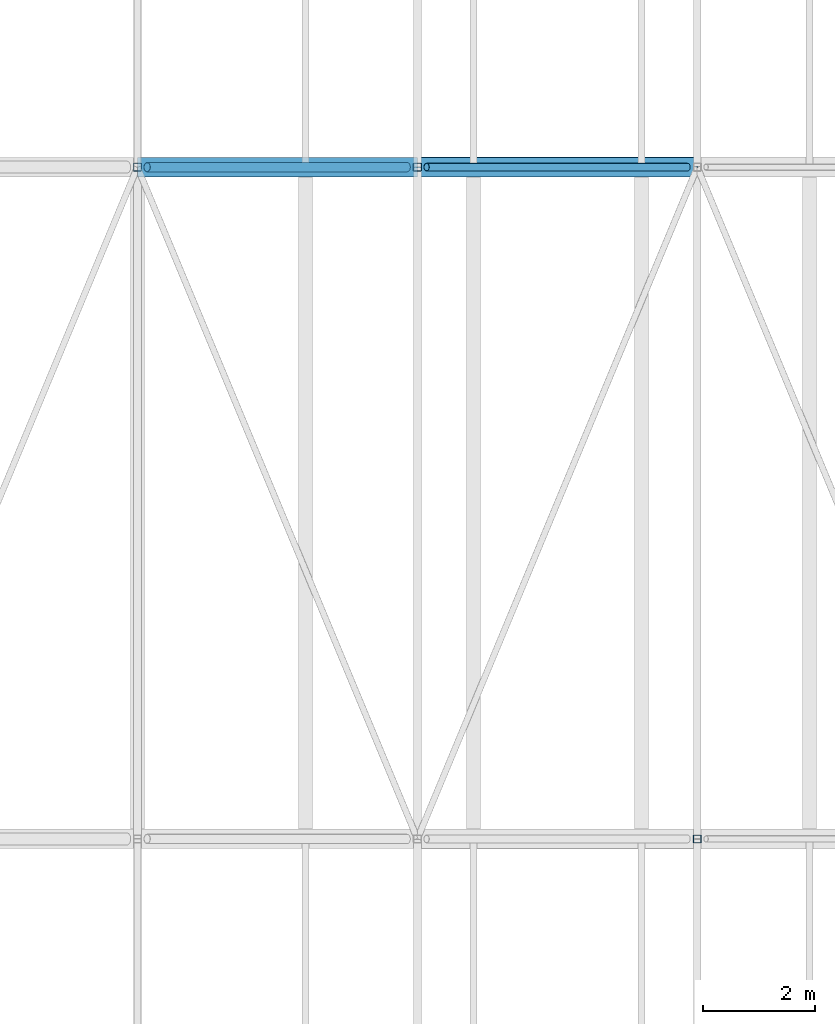
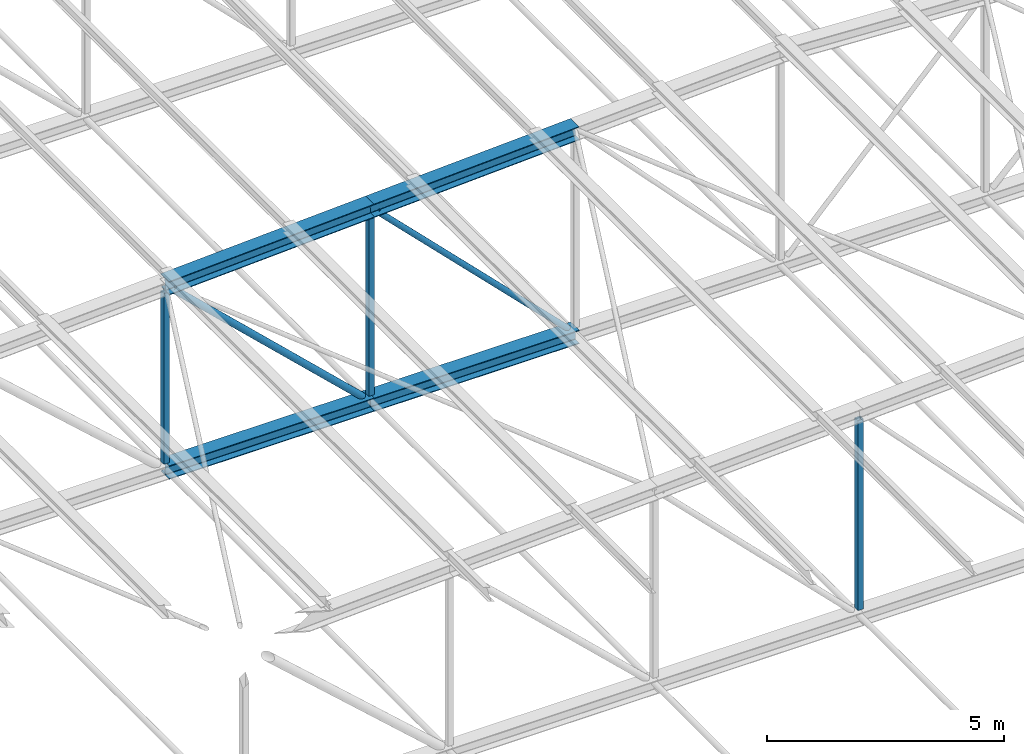
# One storey, part 34 of 156: 9 members.
"""IFC4 building model written with IfcOpenShell, lengths in metres."""

import ifcopenshell
import ifcopenshell.guid

model = None  # the IFC model being written
_history = None  # IfcOwnerHistory: only IFC2X3 demands one
_inside = {}  # id of a spatial element -> (the spatial element, [elements in it])
_under = {}  # id of a project, library or spatial element -> (it, [spatial elements below it])
_declared = {}  # id of a project -> (the project, [libraries it declares])
_typed = {}  # id of a type object -> (the type object, [elements of that type])
_made_of = {}  # id of a material, layer set ... -> (it, [elements and type objects made of it])


def new_model(schema):
    """Start an empty IFC model of exactly this schema.

    Asked for "IFC4X3", IfcOpenShell would pick the latest addendum, in which some entities
    have other attributes; the version numbers below select the first issue.
    IFC2X3 requires an IfcOwnerHistory on every rooted entity: one is made here for all.
    """
    global model, _history
    if schema == "IFC4X3":
        model = ifcopenshell.file(schema_version=(4, 3, 0, 0))
    else:
        model = ifcopenshell.file(schema=schema)
    _inside.clear()
    _under.clear()
    _declared.clear()
    _typed.clear()
    _made_of.clear()
    _history = None
    if model.schema == "IFC2X3":
        org = make("IfcOrganization", Name="unknown")
        user = make(
            "IfcPersonAndOrganization",
            ThePerson=make("IfcPerson", FamilyName="unknown"),
            TheOrganization=org,
        )
        app = make(
            "IfcApplication",
            ApplicationDeveloper=org,
            Version="unknown",
            ApplicationFullName="unknown",
            ApplicationIdentifier="unknown",
        )
        _history = make(
            "IfcOwnerHistory",
            OwningUser=user,
            OwningApplication=app,
            ChangeAction="ADDED",
            CreationDate=0,
        )
    return model


def make(cls, **values):
    """One entity of the class cls with the attributes given. An attribute that is None is left unset."""
    return model.create_entity(
        cls, **{name: value for name, value in values.items() if value is not None}
    )


def rooted(cls, **values):
    """An entity with a GlobalId (a new one), such as an element, a storey or a relation."""
    return make(cls, GlobalId=ifcopenshell.guid.new(), OwnerHistory=_history, **values)


def si_unit(unit_type, name, prefix=None):
    """IfcSIUnit, for example si_unit("LENGTHUNIT", "METRE", prefix="MILLI")."""
    return make("IfcSIUnit", UnitType=unit_type, Prefix=prefix, Name=name)


def assignment(units):
    """IfcUnitAssignment: the units of a project."""
    return None if units is None else make("IfcUnitAssignment", Units=units)


def point(xyz):
    """IfcCartesianPoint."""
    return None if xyz is None else make("IfcCartesianPoint", Coordinates=xyz)


def direction(xyz):
    """IfcDirection."""
    return None if xyz is None else make("IfcDirection", DirectionRatios=xyz)


def frame(location, z_axis=None, x_axis=None):
    """IfcAxis2Placement3D, a coordinate frame: its origin and axes. An axis left out is left unset."""
    return make(
        "IfcAxis2Placement3D",
        Location=point(location),
        Axis=direction(z_axis),
        RefDirection=direction(x_axis),
    )


def frame_2d(location, x_axis=None):
    """IfcAxis2Placement2D, a coordinate frame in the plane: its origin and x axis."""
    return make(
        "IfcAxis2Placement2D", Location=point(location), RefDirection=direction(x_axis)
    )


def origin():
    """The frame at (0, 0, 0) with its axes left unset."""
    return frame((0.0, 0.0, 0.0))


def origin_2d():
    """The frame at (0, 0) in the plane with its x axis left unset."""
    return frame_2d((0.0, 0.0))


def place(relative_to, where):
    """IfcLocalPlacement: puts the frame where relative to a parent placement (None: the world)."""
    return make(
        "IfcLocalPlacement", PlacementRelTo=relative_to, RelativePlacement=where
    )


def context(
    kind, dimensions, precision=None, world=None, true_north=None, identifier=None
):
    """IfcGeometricRepresentationContext, for example the 3D "Model" context."""
    return make(
        "IfcGeometricRepresentationContext",
        ContextIdentifier=identifier,
        ContextType=kind,
        CoordinateSpaceDimension=dimensions,
        Precision=precision,
        WorldCoordinateSystem=world,
        TrueNorth=true_north,
    )


def subcontext(parent, identifier, kind, view, scale=None):
    """IfcGeometricRepresentationSubContext, for example "Body" below "Model"."""
    return make(
        "IfcGeometricRepresentationSubContext",
        ContextIdentifier=identifier,
        ContextType=kind,
        ParentContext=parent,
        TargetScale=scale,
        TargetView=view,
    )


def project(units=None, contexts=None):
    """IfcProject with its units and contexts."""
    return rooted(
        "IfcProject",
        Name="project",
        RepresentationContexts=contexts,
        UnitsInContext=assignment(units),
    )


def spatial(cls, under=None, at=None, **own):
    """A site, building, storey or space (cls), placed at a placement, below another one or the project."""
    s = rooted(cls, ObjectPlacement=at, **own)
    if under is not None:
        _under.setdefault(under.id(), (under, []))[1].append(s)
    return s


def profile(cls, at=None, kind="AREA", **sizes):
    """A parametric profile (cls). Its sizes go by their IFC names, for example OverallWidth=200.0."""
    return make(cls, ProfileType=kind, Position=at, **sizes)


def hollow_rectangle(**sizes):
    """IfcRectangleHollowProfileDef."""
    return profile("IfcRectangleHollowProfileDef", **sizes)


def hollow_circle(**sizes):
    """IfcCircleHollowProfileDef."""
    return profile("IfcCircleHollowProfileDef", **sizes)


def i_section(**sizes):
    """IfcIShapeProfileDef."""
    return profile("IfcIShapeProfileDef", **sizes)


def extrude(swept, where, along, depth):
    """IfcExtrudedAreaSolid: the profile swept, set in the frame where, extruded along a direction by depth."""
    return make(
        "IfcExtrudedAreaSolid",
        SweptArea=swept,
        Position=where,
        ExtrudedDirection=direction(along),
        Depth=depth,
    )


def shape(context_of_items, identifier, shape_type, items):
    """IfcShapeRepresentation: the items that make up one representation, for example the "Body"."""
    return make(
        "IfcShapeRepresentation",
        ContextOfItems=context_of_items,
        RepresentationIdentifier=identifier,
        RepresentationType=shape_type,
        Items=items,
    )


def material(Name=None, Category=None):
    """IfcMaterial."""
    return make("IfcMaterial", Name=Name, Category=Category)


def material_profile(
    of_material, cross_section, Name=None, Category=None, Priority=None
):
    """IfcMaterialProfile: a cross section and its material."""
    return make(
        "IfcMaterialProfile",
        Name=Name,
        Material=of_material,
        Profile=cross_section,
        Priority=Priority,
        Category=Category,
    )


def profile_set(profiles, Name=None, composite=None):
    """IfcMaterialProfileSet."""
    return make(
        "IfcMaterialProfileSet",
        Name=Name,
        MaterialProfiles=profiles,
        CompositeProfile=composite,
    )


def made_of(thing, what):
    """Note that an element or type object is made of a material, layer set ...; save() writes the relation."""
    if what is not None:
        _made_of.setdefault(what.id(), (what, []))[1].append(thing)
    return thing


def type_object(cls, material=None, **own):
    """A type object (cls), such as IfcWallType, which elements share."""
    return made_of(rooted(cls, **own), material)


def element(
    cls,
    number,
    at=None,
    inside=None,
    cuts=None,
    type_object=None,
    material=None,
    context=None,
    identifier="Body",
    shape_type=None,
    held_by="IfcProductDefinitionShape",
    body=None,
    shapes=None,
    **own,
):
    """One element of the class cls, such as IfcWall. Its Tag is "e" and its number.

    at: its placement. inside: the storey or other place that contains it. cuts: it is an
    opening in that element (IfcRelVoidsElement). A single representation is given by context,
    identifier, shape_type and body (its items); several are given by shapes. held_by: the class
    of the entity that holds the representations. save() writes the other relations.
    """
    e = rooted(cls, Tag="e%d" % number, ObjectPlacement=at, **own)
    if body is not None:
        shapes = [shape(context, identifier, shape_type, body)]
    if shapes is not None:
        e.Representation = make(held_by, Representations=shapes)
    if inside is not None:
        _inside.setdefault(inside.id(), (inside, []))[1].append(e)
    if cuts is not None:
        rooted(
            "IfcRelVoidsElement", RelatingBuildingElement=cuts, RelatedOpeningElement=e
        )
    if type_object is not None:
        _typed.setdefault(type_object.id(), (type_object, []))[1].append(e)
    return made_of(e, material)


def aggregate(whole, parts):
    """IfcRelAggregates: a whole, such as a stair, and the parts it consists of."""
    return rooted("IfcRelAggregates", RelatingObject=whole, RelatedObjects=parts)


def save(model, path):
    """Write the relations noted so far, then the file.

    IfcRelAggregates (storeys below a building ...), IfcRelContainedInSpatialStructure (elements
    in a storey), IfcRelDefinesByType, IfcRelAssociatesMaterial and IfcRelDeclares: one each for
    every whole, place, type object, material and project.
    """
    for whole, parts in _under.values():
        aggregate(whole, parts)
    for where, things in _inside.values():
        rooted(
            "IfcRelContainedInSpatialStructure",
            RelatedElements=things,
            RelatingStructure=where,
        )
    for kind, things in _typed.values():
        rooted("IfcRelDefinesByType", RelatedObjects=things, RelatingType=kind)
    for what, things in _made_of.values():
        rooted("IfcRelAssociatesMaterial", RelatedObjects=things, RelatingMaterial=what)
    for by, libraries in _declared.values():
        rooted("IfcRelDeclares", RelatingContext=by, RelatedDefinitions=libraries)
    model.write(path)


model = new_model("IFC4")

# Units and contexts
model_context = context("Model", 3, precision=1e-05, world=origin(), true_north=direction((0.0, 1.0)))
body_context = subcontext(model_context, "Body", "Model", "MODEL_VIEW")
ifc_project = project(units=[si_unit("LENGTHUNIT", "METRE"), si_unit("AREAUNIT", "SQUARE_METRE"), si_unit("VOLUMEUNIT", "CUBIC_METRE"), si_unit("PLANEANGLEUNIT", "RADIAN"), si_unit("MASSUNIT", "GRAM", prefix="KILO")], contexts=[model_context])

# Site, building, storey
site_placement = place(None, origin())
site = spatial("IfcSite", under=ifc_project, at=site_placement, CompositionType="ELEMENT")
building_placement = place(site_placement, origin())
building = spatial("IfcBuilding", under=site, at=building_placement, Name="Lilac Gate Convention Centre", CompositionType="ELEMENT")
storey_placement = place(building_placement, frame((0.0, 0.0, 17.0)))
storey = spatial("IfcBuildingStorey", under=building, at=storey_placement, Name="L03", CompositionType="ELEMENT", Elevation=17.0)

# Members
ifc_material = material(Name="Steel Q355B", Category="steel")
ifc_material_profile_1 = material_profile(ifc_material, i_section(OverallWidth=0.35009765625, OverallDepth=0.35009765625, WebThickness=0.011962890625, FlangeThickness=0.01904296875, FilletRadius=0.012939453125, at=origin_2d()), Name="HW350x350x12x19")
ifc_profile_set_1 = profile_set([ifc_material_profile_1], Name="Steel Q355B")
member_type_1 = type_object("IfcMemberType", Name="Truss bottom chord HW350x350x12x19", PredefinedType="CHORD", material=ifc_profile_set_1)
member_1_placement = place(storey_placement, frame((45.0, 90.0, 0.0), z_axis=(1.0, 0.0, 0.0), x_axis=(0.0, 1.0, 0.0)))
element("IfcMember", 1, at=member_1_placement, inside=storey, type_object=member_type_1, Name="TB2 truss 6 bottom chord 4", PredefinedType="CHORD", context=body_context, shape_type="SweptSolid", body=[
    extrude(i_section(OverallWidth=0.35009765625, OverallDepth=0.35009765625, WebThickness=0.011962890625, FlangeThickness=0.01904296875, FilletRadius=0.012939453125, at=origin_2d()), origin(), (0.0, 0.0, 1.0), 5.0),
])
ifc_material_profile_2 = material_profile(ifc_material, i_section(OverallWidth=0.35693359375, OverallDepth=0.35009765625, WebThickness=0.01904296875, FlangeThickness=0.01904296875, FilletRadius=0.012939453125, at=origin_2d()), Name="HW350x357x19x19")
ifc_profile_set_2 = profile_set([ifc_material_profile_2], Name="Steel Q355B")
member_type_2 = type_object("IfcMemberType", Name="Truss bottom chord HW350x357x19x19", PredefinedType="CHORD", material=ifc_profile_set_2)
member_2_placement = place(storey_placement, frame((50.0, 90.0, 0.0), z_axis=(1.0, 0.0, 0.0), x_axis=(0.0, 1.0, 0.0)))
element("IfcMember", 2, at=member_2_placement, inside=storey, type_object=member_type_2, Name="TB3 truss 6 bottom chord 5", PredefinedType="CHORD", context=body_context, shape_type="SweptSolid", body=[
    extrude(i_section(OverallWidth=0.35693359375, OverallDepth=0.35009765625, WebThickness=0.01904296875, FlangeThickness=0.01904296875, FilletRadius=0.012939453125, at=origin_2d()), origin(), (0.0, 0.0, 1.0), 5.0),
])
ifc_material_profile_3 = material_profile(ifc_material, hollow_circle(Radius=0.06982421875, WallThickness=0.006103515625, at=origin_2d()), Name="CHS139.7x6")
ifc_profile_set_3 = profile_set([ifc_material_profile_3], Name="Steel Q355B")
member_type_3 = type_object("IfcMemberType", Name="Truss diagonal CHS139.7x6", PredefinedType="BRACE", material=ifc_profile_set_3)
member_3_placement = place(storey_placement, frame((50.164306640625, 90.0, 4.835693359375), z_axis=(0.707106781187, 0.0, -0.707106781187), x_axis=(0.0, 1.0, 0.0)))
element("IfcMember", 3, at=member_3_placement, inside=storey, type_object=member_type_3, Name="TW5 truss 6 diagonal 5", PredefinedType="BRACE", context=body_context, shape_type="SweptSolid", body=[
    extrude(hollow_circle(Radius=0.06982421875, WallThickness=0.006103515625, at=origin_2d()), origin(), (0.0, 0.0, 1.0), 6.591064453125),
])
ifc_material_profile_4 = material_profile(ifc_material, hollow_circle(Radius=0.084228515625, WallThickness=0.006103515625, at=origin_2d()), Name="CHS168.3x6")
ifc_profile_set_4 = profile_set([ifc_material_profile_4], Name="Steel Q355B")
member_type_4 = type_object("IfcMemberType", Name="Truss diagonal CHS168.3x6", PredefinedType="BRACE", material=ifc_profile_set_4)
member_4_placement = place(storey_placement, frame((45.1728515625, 90.0, 4.585693359375), z_axis=(0.725020373275, 0.0, -0.688727419475), x_axis=(0.0, 1.0, 0.0)))
element("IfcMember", 4, at=member_4_placement, inside=storey, type_object=member_type_4, Name="TW4 truss 6 diagonal 4", PredefinedType="BRACE", context=body_context, shape_type="SweptSolid", body=[
    extrude(hollow_circle(Radius=0.084228515625, WallThickness=0.006103515625, at=origin_2d()), origin(), (0.0, 0.0, 1.0), 6.404052734375),
])
ifc_material_profile_5 = material_profile(ifc_material, i_section(OverallWidth=0.35009765625, OverallDepth=0.35009765625, WebThickness=0.011962890625, FlangeThickness=0.01904296875, FilletRadius=0.012939453125, at=origin_2d()), Name="HW350x350x12x19")
ifc_profile_set_5 = profile_set([ifc_material_profile_5], Name="Steel Q355B")
member_type_5 = type_object("IfcMemberType", Name="Truss top chord HW350x350x12x19", PredefinedType="CHORD", material=ifc_profile_set_5)
for number, where, z_axis, x_axis, name in (
    (5, (45.0, 90.0, 4.75), (0.998752338878, 0.0, 0.049937616944), (0.0, 1.0, 0.0), "TT2 truss 6 top chord 4"),
    (6, (50.0, 90.0, 5.0), (0.998752338878, 0.0, 0.049937616944), (0.0, 1.0, 0.0), "TT2 truss 6 top chord 5"),
):
    element("IfcMember", number, at=place(storey_placement, frame(where, z_axis=z_axis, x_axis=x_axis)), inside=storey, type_object=member_type_5, Name=name, PredefinedType="CHORD", context=body_context, shape_type="SweptSolid", body=[
        extrude(i_section(OverallWidth=0.35009765625, OverallDepth=0.35009765625, WebThickness=0.011962890625, FlangeThickness=0.01904296875, FilletRadius=0.012939453125, at=origin_2d()), origin(), (0.0, 0.0, 1.0), 5.00634765625),
    ])
ifc_material_profile_6 = material_profile(ifc_material, hollow_rectangle(XDim=0.139892578125, YDim=0.139892578125, WallThickness=0.0048828125, InnerFilletRadius=0.0048828125, OuterFilletRadius=0.010009765625, at=origin_2d()), Name="SHS140x140x5")
ifc_profile_set_6 = profile_set([ifc_material_profile_6], Name="Steel Q355B")
member_type_6 = type_object("IfcMemberType", Name="Truss vertical SHS140x140x5", PredefinedType="STRUT", material=ifc_profile_set_6)
member_5_placement = place(storey_placement, frame((55.0, 78.0, 0.175048828125), z_axis=(0.0, 0.0, 1.0), x_axis=(1.0, 0.0, 0.0)))
element("IfcMember", 7, at=member_5_placement, inside=storey, type_object=member_type_6, Name="TV4 truss 5 vertical 6", PredefinedType="STRUT", context=body_context, shape_type="SweptSolid", body=[
    extrude(hollow_rectangle(XDim=0.139892578125, YDim=0.139892578125, WallThickness=0.0048828125, InnerFilletRadius=0.0048828125, OuterFilletRadius=0.010009765625, at=origin_2d()), origin(), (0.0, 0.0, 1.0), 4.899658203125),
])
member_6_placement = place(storey_placement, frame((45.0, 90.0, 0.175048828125), z_axis=(0.0, 0.0, 1.0), x_axis=(1.0, 0.0, 0.0)))
element("IfcMember", 8, at=member_6_placement, inside=storey, type_object=member_type_6, Name="TV4 truss 6 vertical 4", PredefinedType="STRUT", context=body_context, shape_type="SweptSolid", body=[
    extrude(hollow_rectangle(XDim=0.139892578125, YDim=0.139892578125, WallThickness=0.0048828125, InnerFilletRadius=0.0048828125, OuterFilletRadius=0.010009765625, at=origin_2d()), origin(), (0.0, 0.0, 1.0), 4.399658203125),
])
member_7_placement = place(storey_placement, frame((50.0, 90.0, 0.175048828125), z_axis=(0.0, 0.0, 1.0), x_axis=(1.0, 0.0, 0.0)))
element("IfcMember", 9, at=member_7_placement, inside=storey, type_object=member_type_6, Name="TV4 truss 6 vertical 5", PredefinedType="STRUT", context=body_context, shape_type="SweptSolid", body=[
    extrude(hollow_rectangle(XDim=0.139892578125, YDim=0.139892578125, WallThickness=0.0048828125, InnerFilletRadius=0.0048828125, OuterFilletRadius=0.010009765625, at=origin_2d()), origin(), (0.0, 0.0, 1.0), 4.649658203125),
])

save(model, "model.ifc")
